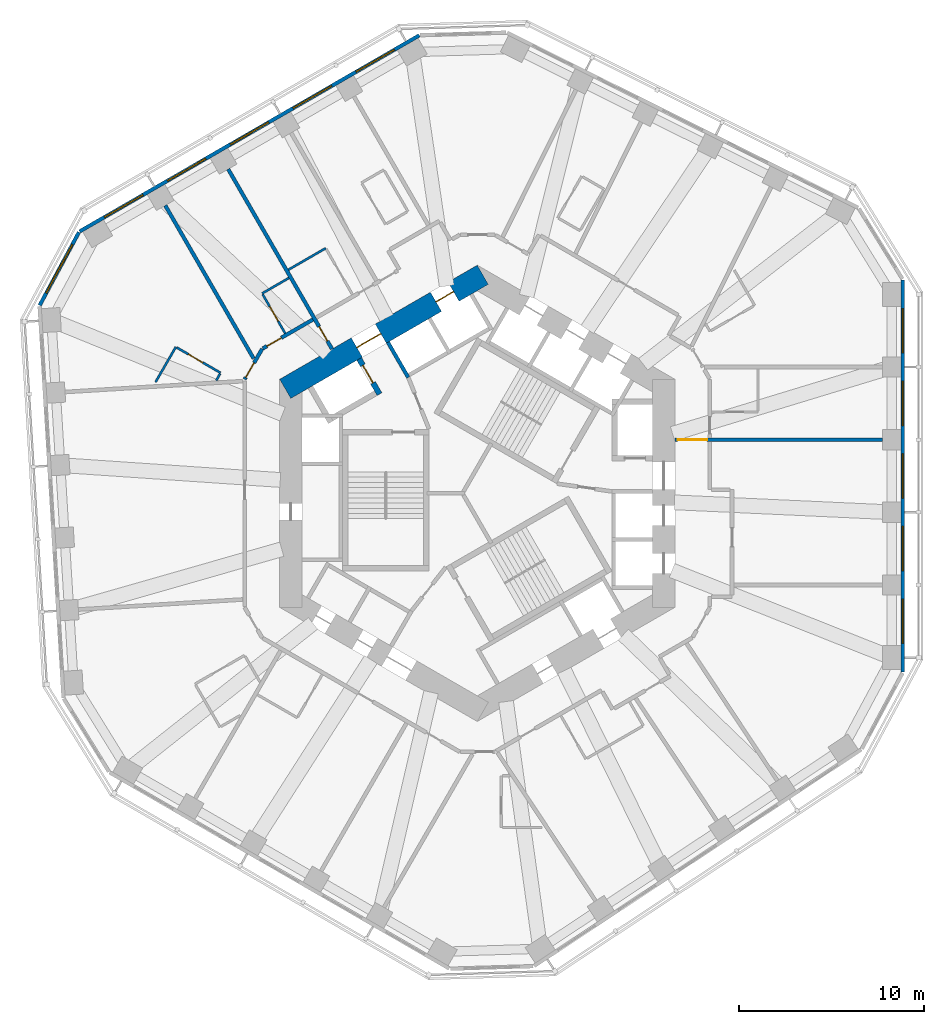
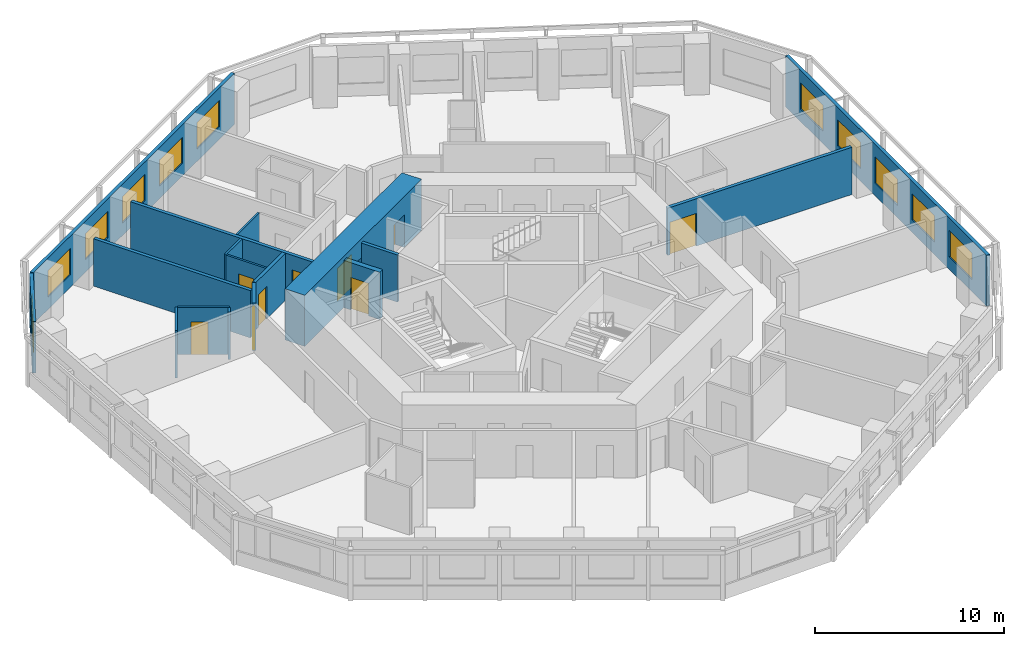
# One storey, part 7 of 12: 17 walls, 11 windows, 9 doors, 20 openings.
"""IFC4 building model written with IfcOpenShell, lengths in metres."""

import ifcopenshell
import ifcopenshell.guid

model = None  # the IFC model being written
_history = None  # IfcOwnerHistory: only IFC2X3 demands one
_inside = {}  # id of a spatial element -> (the spatial element, [elements in it])
_under = {}  # id of a project, library or spatial element -> (it, [spatial elements below it])
_declared = {}  # id of a project -> (the project, [libraries it declares])
_typed = {}  # id of a type object -> (the type object, [elements of that type])
_made_of = {}  # id of a material, layer set ... -> (it, [elements and type objects made of it])


def new_model(schema):
    """Start an empty IFC model of exactly this schema.

    Asked for "IFC4X3", IfcOpenShell would pick the latest addendum, in which some entities
    have other attributes; the version numbers below select the first issue.
    IFC2X3 requires an IfcOwnerHistory on every rooted entity: one is made here for all.
    """
    global model, _history
    if schema == "IFC4X3":
        model = ifcopenshell.file(schema_version=(4, 3, 0, 0))
    else:
        model = ifcopenshell.file(schema=schema)
    _inside.clear()
    _under.clear()
    _declared.clear()
    _typed.clear()
    _made_of.clear()
    _history = None
    if model.schema == "IFC2X3":
        org = make("IfcOrganization", Name="unknown")
        user = make(
            "IfcPersonAndOrganization",
            ThePerson=make("IfcPerson", FamilyName="unknown"),
            TheOrganization=org,
        )
        app = make(
            "IfcApplication",
            ApplicationDeveloper=org,
            Version="unknown",
            ApplicationFullName="unknown",
            ApplicationIdentifier="unknown",
        )
        _history = make(
            "IfcOwnerHistory",
            OwningUser=user,
            OwningApplication=app,
            ChangeAction="ADDED",
            CreationDate=0,
        )
    return model


def make(cls, **values):
    """One entity of the class cls with the attributes given. An attribute that is None is left unset."""
    return model.create_entity(
        cls, **{name: value for name, value in values.items() if value is not None}
    )


def rooted(cls, **values):
    """An entity with a GlobalId (a new one), such as an element, a storey or a relation."""
    return make(cls, GlobalId=ifcopenshell.guid.new(), OwnerHistory=_history, **values)


def si_unit(unit_type, name, prefix=None):
    """IfcSIUnit, for example si_unit("LENGTHUNIT", "METRE", prefix="MILLI")."""
    return make("IfcSIUnit", UnitType=unit_type, Prefix=prefix, Name=name)


def assignment(units):
    """IfcUnitAssignment: the units of a project."""
    return None if units is None else make("IfcUnitAssignment", Units=units)


def point(xyz):
    """IfcCartesianPoint."""
    return None if xyz is None else make("IfcCartesianPoint", Coordinates=xyz)


def direction(xyz):
    """IfcDirection."""
    return None if xyz is None else make("IfcDirection", DirectionRatios=xyz)


def frame(location, z_axis=None, x_axis=None):
    """IfcAxis2Placement3D, a coordinate frame: its origin and axes. An axis left out is left unset."""
    return make(
        "IfcAxis2Placement3D",
        Location=point(location),
        Axis=direction(z_axis),
        RefDirection=direction(x_axis),
    )


def frame_2d(location, x_axis=None):
    """IfcAxis2Placement2D, a coordinate frame in the plane: its origin and x axis."""
    return make(
        "IfcAxis2Placement2D", Location=point(location), RefDirection=direction(x_axis)
    )


def origin():
    """The frame at (0, 0, 0) with its axes left unset."""
    return frame((0.0, 0.0, 0.0))


def place(relative_to, where):
    """IfcLocalPlacement: puts the frame where relative to a parent placement (None: the world)."""
    return make(
        "IfcLocalPlacement", PlacementRelTo=relative_to, RelativePlacement=where
    )


def context(
    kind, dimensions, precision=None, world=None, true_north=None, identifier=None
):
    """IfcGeometricRepresentationContext, for example the 3D "Model" context."""
    return make(
        "IfcGeometricRepresentationContext",
        ContextIdentifier=identifier,
        ContextType=kind,
        CoordinateSpaceDimension=dimensions,
        Precision=precision,
        WorldCoordinateSystem=world,
        TrueNorth=true_north,
    )


def subcontext(parent, identifier, kind, view, scale=None):
    """IfcGeometricRepresentationSubContext, for example "Body" below "Model"."""
    return make(
        "IfcGeometricRepresentationSubContext",
        ContextIdentifier=identifier,
        ContextType=kind,
        ParentContext=parent,
        TargetScale=scale,
        TargetView=view,
    )


def project(units=None, contexts=None):
    """IfcProject with its units and contexts."""
    return rooted(
        "IfcProject",
        Name="project",
        RepresentationContexts=contexts,
        UnitsInContext=assignment(units),
    )


def spatial(cls, under=None, at=None, **own):
    """A site, building, storey or space (cls), placed at a placement, below another one or the project."""
    s = rooted(cls, ObjectPlacement=at, **own)
    if under is not None:
        _under.setdefault(under.id(), (under, []))[1].append(s)
    return s


def profile(cls, at=None, kind="AREA", **sizes):
    """A parametric profile (cls). Its sizes go by their IFC names, for example OverallWidth=200.0."""
    return make(cls, ProfileType=kind, Position=at, **sizes)


def rectangle(**sizes):
    """IfcRectangleProfileDef."""
    return profile("IfcRectangleProfileDef", **sizes)


def extrude(swept, where, along, depth):
    """IfcExtrudedAreaSolid: the profile swept, set in the frame where, extruded along a direction by depth."""
    return make(
        "IfcExtrudedAreaSolid",
        SweptArea=swept,
        Position=where,
        ExtrudedDirection=direction(along),
        Depth=depth,
    )


def shape(context_of_items, identifier, shape_type, items):
    """IfcShapeRepresentation: the items that make up one representation, for example the "Body"."""
    return make(
        "IfcShapeRepresentation",
        ContextOfItems=context_of_items,
        RepresentationIdentifier=identifier,
        RepresentationType=shape_type,
        Items=items,
    )


def material(Name=None, Category=None):
    """IfcMaterial."""
    return make("IfcMaterial", Name=Name, Category=Category)


def layer(
    of_material, thickness, ventilated=None, Name=None, Category=None, Priority=None
):
    """IfcMaterialLayer: one layer of a wall or slab, of a material (None: an air gap)."""
    return make(
        "IfcMaterialLayer",
        Material=of_material,
        LayerThickness=thickness,
        IsVentilated=ventilated,
        Name=Name,
        Category=Category,
        Priority=Priority,
    )


def layer_set(layers, Name=None):
    """IfcMaterialLayerSet."""
    return make("IfcMaterialLayerSet", MaterialLayers=layers, LayerSetName=Name)


def made_of(thing, what):
    """Note that an element or type object is made of a material, layer set ...; save() writes the relation."""
    if what is not None:
        _made_of.setdefault(what.id(), (what, []))[1].append(thing)
    return thing


def type_object(cls, material=None, **own):
    """A type object (cls), such as IfcWallType, which elements share."""
    return made_of(rooted(cls, **own), material)


def element(
    cls,
    number,
    at=None,
    inside=None,
    cuts=None,
    type_object=None,
    material=None,
    context=None,
    identifier="Body",
    shape_type=None,
    held_by="IfcProductDefinitionShape",
    body=None,
    shapes=None,
    **own,
):
    """One element of the class cls, such as IfcWall. Its Tag is "e" and its number.

    at: its placement. inside: the storey or other place that contains it. cuts: it is an
    opening in that element (IfcRelVoidsElement). A single representation is given by context,
    identifier, shape_type and body (its items); several are given by shapes. held_by: the class
    of the entity that holds the representations. save() writes the other relations.
    """
    e = rooted(cls, Tag="e%d" % number, ObjectPlacement=at, **own)
    if body is not None:
        shapes = [shape(context, identifier, shape_type, body)]
    if shapes is not None:
        e.Representation = make(held_by, Representations=shapes)
    if inside is not None:
        _inside.setdefault(inside.id(), (inside, []))[1].append(e)
    if cuts is not None:
        rooted(
            "IfcRelVoidsElement", RelatingBuildingElement=cuts, RelatedOpeningElement=e
        )
    if type_object is not None:
        _typed.setdefault(type_object.id(), (type_object, []))[1].append(e)
    return made_of(e, material)


def fill(opening, filler):
    """IfcRelFillsElement: the door or window that sits in an opening."""
    return rooted(
        "IfcRelFillsElement",
        RelatingOpeningElement=opening,
        RelatedBuildingElement=filler,
    )


def aggregate(whole, parts):
    """IfcRelAggregates: a whole, such as a stair, and the parts it consists of."""
    return rooted("IfcRelAggregates", RelatingObject=whole, RelatedObjects=parts)


def save(model, path):
    """Write the relations noted so far, then the file.

    IfcRelAggregates (storeys below a building ...), IfcRelContainedInSpatialStructure (elements
    in a storey), IfcRelDefinesByType, IfcRelAssociatesMaterial and IfcRelDeclares: one each for
    every whole, place, type object, material and project.
    """
    for whole, parts in _under.values():
        aggregate(whole, parts)
    for where, things in _inside.values():
        rooted(
            "IfcRelContainedInSpatialStructure",
            RelatedElements=things,
            RelatingStructure=where,
        )
    for kind, things in _typed.values():
        rooted("IfcRelDefinesByType", RelatedObjects=things, RelatingType=kind)
    for what, things in _made_of.values():
        rooted("IfcRelAssociatesMaterial", RelatedObjects=things, RelatingMaterial=what)
    for by, libraries in _declared.values():
        rooted("IfcRelDeclares", RelatingContext=by, RelatedDefinitions=libraries)
    model.write(path)


model = new_model("IFC4")

# Units and contexts
model_context = context("Model", 3, precision=1e-05, world=origin(), true_north=direction((0.0, 1.0)))
body_context = subcontext(model_context, "Body", "Model", "MODEL_VIEW")
ifc_project = project(units=[si_unit("LENGTHUNIT", "METRE"), si_unit("AREAUNIT", "SQUARE_METRE"), si_unit("VOLUMEUNIT", "CUBIC_METRE"), si_unit("PLANEANGLEUNIT", "RADIAN"), si_unit("MASSUNIT", "GRAM", prefix="KILO")], contexts=[model_context])

# Site, building, storey
site_placement = place(None, origin())
site = spatial("IfcSite", under=ifc_project, at=site_placement, CompositionType="ELEMENT")
building_placement = place(site_placement, origin())
building = spatial("IfcBuilding", under=site, at=building_placement, Name="Vanh Sen Convention Tower", CompositionType="ELEMENT")
storey_placement = place(building_placement, frame((0.0, 0.0, 106.699951171875)))
storey = spatial("IfcBuildingStorey", under=building, at=storey_placement, Name="L25", CompositionType="ELEMENT", Elevation=106.699951171875)

# Wall
ifc_material_1 = material(Name="Moisture-resistant gypsum board on steel studs", Category="steel")
ifc_layer_1 = layer(ifc_material_1, 0.1201171875)
ifc_layer_set_1 = layer_set([ifc_layer_1], Name="Moisture-resistant gypsum board on steel studs")
wall_type_1 = type_object("IfcWallType", Name="Bathroom partition 120", PredefinedType="PARTITIONING", material=ifc_layer_set_1)
wall_1_placement = place(storey_placement, frame((-17.42578125, 6.019287109375, 0.0), z_axis=(0.0, 0.0, 1.0), x_axis=(0.50002983664, 0.866008176907, 0.0)))
element("IfcWall", 1, at=wall_1_placement, inside=storey, type_object=wall_type_1, Name="Bathroom partition 120", PredefinedType="PARTITIONING", context=body_context, shape_type="SweptSolid", body=[
    extrude(rectangle(XDim=2.199951171875, YDim=0.1201171875, at=frame_2d((1.10009765625, 0.0))), origin(), (0.0, 0.0, 1.0), 3.050048828125),
])

# Wall, opening, door
wall_2_placement = place(storey_placement, frame((-16.273681640625, 7.89453125, 0.0), z_axis=(0.0, 0.0, 1.0), x_axis=(0.865997131366, -0.500048966069, 0.0)))
wall_2 = element("IfcWall", 2, at=wall_2_placement, inside=storey, type_object=wall_type_1, Name="Bathroom partition 120", PredefinedType="PARTITIONING", context=body_context, shape_type="SweptSolid", body=[
    extrude(rectangle(XDim=2.739990234375, YDim=0.1201171875, at=frame_2d((1.3701171875, 0.0))), origin(), (0.0, 0.0, 1.0), 3.050048828125),
])
opening_1_placement = place(wall_2_placement, frame((0.719970703125, 0.0, 0.0)))
opening_1 = element("IfcOpeningElement", 3, at=opening_1_placement, cuts=wall_2, Name="Opening D25117", PredefinedType="OPENING", context=body_context, shape_type="SweptSolid", body=[
    extrude(rectangle(XDim=0.89990234375, YDim=2.10009765625, at=frame_2d((0.449951171875, 1.050048828125))), frame((0.0, 0.070068359375, 0.0), z_axis=(0.0, -1.0, 0.0), x_axis=(1.0, 0.0, 0.0)), (0.0, 0.0, 1.0), 0.14013671875),
])
ifc_material_2 = material(Name="Laminate door in steel frame", Category="steel")
door_type_1 = type_object("IfcDoorType", Name="En-suite door 900", OperationType="SINGLE_SWING_LEFT", PredefinedType="DOOR", material=ifc_material_2)
door_1_placement = place(opening_1_placement, origin())
door_1 = element("IfcDoor", 4, at=door_1_placement, inside=storey, type_object=door_type_1, Name="En-suite door D25117", OperationType="SINGLE_SWING_LEFT", OverallHeight=2.10009765625, OverallWidth=0.89990234375, PredefinedType="DOOR", context=body_context, shape_type="SweptSolid", body=[
    extrude(rectangle(XDim=0.89990234375, YDim=2.10009765625, at=frame_2d((0.449951171875, 1.050048828125))), frame((0.0, 0.02490234375, 0.0), z_axis=(0.0, -1.0, 0.0), x_axis=(1.0, 0.0, 0.0)), (0.0, 0.0, 1.0), 0.050048828125),
])
fill(opening_1, door_1)

# Walls
wall_3_placement = place(storey_placement, frame((-13.930908203125, 6.472412109375, 0.0), z_axis=(0.0, 0.0, 1.0), x_axis=(-0.499739399214, -0.866175809448, 0.0)))
element("IfcWall", 5, at=wall_3_placement, inside=storey, type_object=wall_type_1, Name="Bathroom partition 120", PredefinedType="PARTITIONING", context=body_context, shape_type="SweptSolid", body=[
    extrude(rectangle(XDim=0.415771484375, YDim=0.1201171875, at=frame_2d((0.2080078125, 0.0))), origin(), (0.0, 0.0, 1.0), 3.050048828125),
])
wall_4_placement = place(storey_placement, frame((-11.65087890625, 10.82470703125, 0.0), z_axis=(0.0, 0.0, 1.0), x_axis=(0.865998477143, 0.500046635412, 0.0)))
element("IfcWall", 6, at=wall_4_placement, inside=storey, type_object=wall_type_1, Name="Bathroom partition 120", PredefinedType="PARTITIONING", context=body_context, shape_type="SweptSolid", body=[
    extrude(rectangle(XDim=1.673095703125, YDim=0.1201171875, at=frame_2d((0.83642578125, 0.0))), origin(), (0.0, 0.0, 1.0), 3.050048828125),
])

# Wall, opening, door
wall_5_placement = place(storey_placement, frame((-10.40087890625, 8.65966796875, 0.0), z_axis=(0.0, 0.0, 1.0), x_axis=(-0.500077547548, 0.865980627057, 0.0)))
wall_5 = element("IfcWall", 7, at=wall_5_placement, inside=storey, type_object=wall_type_1, Name="Bathroom partition 120", PredefinedType="PARTITIONING", context=body_context, shape_type="SweptSolid", body=[
    extrude(rectangle(XDim=2.43994140625, YDim=0.1201171875, at=frame_2d((1.219970703125, 0.0))), origin(), (0.0, 0.0, 1.0), 3.050048828125),
])
opening_2_placement = place(wall_5_placement, frame((0.77001953125, 0.0, 0.0)))
opening_2 = element("IfcOpeningElement", 8, at=opening_2_placement, cuts=wall_5, Name="Opening D25115", PredefinedType="OPENING", context=body_context, shape_type="SweptSolid", body=[
    extrude(rectangle(XDim=0.89990234375, YDim=2.10009765625, at=frame_2d((0.449951171875, 1.050048828125))), frame((0.0, 0.070068359375, 0.0), z_axis=(0.0, -1.0, 0.0), x_axis=(1.0, 0.0, 0.0)), (0.0, 0.0, 1.0), 0.14013671875),
])
door_2_placement = place(opening_2_placement, origin())
door_2 = element("IfcDoor", 9, at=door_2_placement, inside=storey, type_object=door_type_1, Name="En-suite door D25115", OperationType="SINGLE_SWING_LEFT", OverallHeight=2.10009765625, OverallWidth=0.89990234375, PredefinedType="DOOR", context=body_context, shape_type="SweptSolid", body=[
    extrude(rectangle(XDim=0.89990234375, YDim=2.10009765625, at=frame_2d((0.449951171875, 1.050048828125))), frame((0.0, 0.02490234375, 0.0), z_axis=(0.0, -1.0, 0.0), x_axis=(1.0, 0.0, 0.0)), (0.0, 0.0, 1.0), 0.050048828125),
])
fill(opening_2, door_2)

# Wall
wall_6_placement = place(storey_placement, frame((-10.228759765625, 12.107666015625, 0.0), z_axis=(0.0, 0.0, 1.0), x_axis=(0.866053246676, 0.499951771596, 0.0)))
element("IfcWall", 10, at=wall_6_placement, inside=storey, type_object=wall_type_1, Name="Bathroom partition 120", PredefinedType="PARTITIONING", context=body_context, shape_type="SweptSolid", body=[
    extrude(rectangle(XDim=2.334716796875, YDim=0.1201171875, at=frame_2d((1.16748046875, 0.0))), origin(), (0.0, 0.0, 1.0), 3.050048828125),
])

# Wall, openings, doors
ifc_material_3 = material(Name="Concrete C80/95", Category="concrete")
ifc_layer_2 = layer(ifc_material_3, 1.199951171875)
ifc_layer_set_2 = layer_set([ifc_layer_2], Name="Concrete C80/95")
wall_type_2 = type_object("IfcWallType", Name="Core outer wall 1200 C80/95", PredefinedType="SHEAR", material=ifc_layer_set_2)
wall_7_placement = place(storey_placement, frame((0.300048828125, 11.835693359375, 0.0), z_axis=(0.0, 0.0, 1.0), x_axis=(-0.866021384402, -0.500006961711, 0.0)))
wall_7 = element("IfcWall", 11, at=wall_7_placement, inside=storey, type_object=wall_type_2, Name="Core wall face NW L25", PredefinedType="SHEAR", context=body_context, shape_type="SweptSolid", body=[
    extrude(rectangle(XDim=12.355224609375, YDim=1.199951171875, at=frame_2d((6.177734375, 0.0))), origin(), (0.0, 0.0, 1.0), 3.300048828125),
])
opening_3_placement = place(wall_7_placement, frame((6.377685546875, 0.0, 0.0)))
opening_3 = element("IfcOpeningElement", 12, at=opening_3_placement, cuts=wall_7, Name="Opening D25002", PredefinedType="OPENING", context=body_context, shape_type="SweptSolid", body=[
    extrude(rectangle(XDim=1.5, YDim=2.10009765625, at=frame_2d((0.75, 1.050048828125))), frame((0.0, 0.60986328125, 0.0), z_axis=(0.0, -1.0, 0.0), x_axis=(1.0, 0.0, 0.0)), (0.0, 0.0, 1.0), 1.219970703125),
])
opening_4_placement = place(wall_7_placement, frame((1.82763671875, 0.0, 0.0)))
opening_4 = element("IfcOpeningElement", 13, at=opening_4_placement, cuts=wall_7, Name="Opening LD-LR6", PredefinedType="OPENING", context=body_context, shape_type="SweptSolid", body=[
    extrude(rectangle(XDim=1.10009765625, YDim=2.10009765625, at=frame_2d((0.550048828125, 1.050048828125))), frame((0.0, 0.60986328125, 0.0), z_axis=(0.0, -1.0, 0.0), x_axis=(1.0, 0.0, 0.0)), (0.0, 0.0, 1.0), 1.219970703125),
])
ifc_material_4 = material(Name="Stainless steel", Category="steel")
door_type_2 = type_object("IfcDoorType", Name="Lift landing door 1100", OperationType="DOUBLE_DOOR_SLIDING", PredefinedType="DOOR", material=ifc_material_4)
door_3_placement = place(opening_4_placement, origin())
door_3 = element("IfcDoor", 14, at=door_3_placement, inside=storey, type_object=door_type_2, Name="Lift LR6 landing door LD-LR6", OperationType="DOUBLE_DOOR_SLIDING", OverallHeight=2.10009765625, OverallWidth=1.10009765625, PredefinedType="DOOR", context=body_context, shape_type="SweptSolid", body=[
    extrude(rectangle(XDim=1.10009765625, YDim=2.10009765625, at=frame_2d((0.550048828125, 1.050048828125))), frame((0.0, 0.02490234375, 0.0), z_axis=(0.0, -1.0, 0.0), x_axis=(1.0, 0.0, 0.0)), (0.0, 0.0, 1.0), 0.050048828125),
])
fill(opening_4, door_3)
ifc_material_5 = material(Name="Steel S355", Category="steel")
door_type_3 = type_object("IfcDoorType", Name="Stair lobby door 1500", OperationType="DOUBLE_DOOR_SINGLE_SWING", PredefinedType="DOOR", material=ifc_material_5)
door_4_placement = place(opening_3_placement, origin())
door_4 = element("IfcDoor", 15, at=door_4_placement, inside=storey, type_object=door_type_3, Name="Stair lobby door D25002", OperationType="DOUBLE_DOOR_SINGLE_SWING", OverallHeight=2.10009765625, OverallWidth=1.5, PredefinedType="DOOR", context=body_context, shape_type="SweptSolid", body=[
    extrude(rectangle(XDim=1.5, YDim=2.10009765625, at=frame_2d((0.75, 1.050048828125))), frame((0.0, 0.02490234375, 0.0), z_axis=(0.0, -1.0, 0.0), x_axis=(1.0, 0.0, 0.0)), (0.0, 0.0, 1.0), 0.050048828125),
])
fill(opening_3, door_4)

# Wall, opening, door
ifc_material_6 = material(Name="Gypsum board on steel studs with mineral wool", Category="steel")
ifc_layer_3 = layer(ifc_material_6, 0.199951171875)
ifc_layer_set_3 = layer_set([ifc_layer_3], Name="Gypsum board on steel studs with mineral wool")
wall_type_3 = type_object("IfcWallType", Name="Corridor partition wall 200", PredefinedType="PARTITIONING", material=ifc_layer_set_3)
wall_8_placement = place(storey_placement, frame((-11.64990234375, 7.822998046875, 0.0), z_axis=(0.0, 0.0, 1.0), x_axis=(-0.500063520245, -0.865988727248, 0.0)))
wall_8 = element("IfcWall", 16, at=wall_8_placement, inside=storey, type_object=wall_type_3, Name="Corridor partition wall 200", PredefinedType="PARTITIONING", context=body_context, shape_type="SweptSolid", body=[
    extrude(rectangle(XDim=1.900146484375, YDim=0.199951171875, at=frame_2d((0.9501953125, 0.0))), origin(), (0.0, 0.0, 1.0), 3.050048828125),
])
opening_5_placement = place(wall_8_placement, frame((0.8818359375, 0.0, 0.0)))
opening_5 = element("IfcOpeningElement", 17, at=opening_5_placement, cuts=wall_8, Name="Opening D25116", PredefinedType="OPENING", context=body_context, shape_type="SweptSolid", body=[
    extrude(rectangle(XDim=0.89990234375, YDim=2.10009765625, at=frame_2d((0.449951171875, 1.050048828125))), frame((0.0, 0.10986328125, 0.0), z_axis=(0.0, -1.0, 0.0), x_axis=(1.0, 0.0, 0.0)), (0.0, 0.0, 1.0), 0.219970703125),
])
ifc_material_7 = material(Name="Timber fire door in steel frame", Category="steel")
door_type_4 = type_object("IfcDoorType", Name="Guest room door 900", OperationType="SINGLE_SWING_LEFT", PredefinedType="DOOR", material=ifc_material_7)
door_5_placement = place(opening_5_placement, origin())
door_5 = element("IfcDoor", 18, at=door_5_placement, inside=storey, type_object=door_type_4, Name="Hotel guest room door D25116", OperationType="SINGLE_SWING_LEFT", OverallHeight=2.10009765625, OverallWidth=0.89990234375, PredefinedType="DOOR", context=body_context, shape_type="SweptSolid", body=[
    extrude(rectangle(XDim=0.89990234375, YDim=2.10009765625, at=frame_2d((0.449951171875, 1.050048828125))), frame((0.0, 0.02490234375, 0.0), z_axis=(0.0, -1.0, 0.0), x_axis=(1.0, 0.0, 0.0)), (0.0, 0.0, 1.0), 0.050048828125),
])
fill(opening_5, door_5)

wall_9_placement = place(storey_placement, frame((-8.902099609375, 9.40966796875, 0.0), z_axis=(0.0, 0.0, 1.0), x_axis=(-0.866014299198, -0.500019233215, 0.0)))
wall_9 = element("IfcWall", 19, at=wall_9_placement, inside=storey, type_object=wall_type_3, Name="Corridor partition wall 200", PredefinedType="PARTITIONING", context=body_context, shape_type="SweptSolid", body=[
    extrude(rectangle(XDim=3.13330078125, YDim=0.199951171875, at=frame_2d((1.566650390625, 0.0))), origin(), (0.0, 0.0, 1.0), 3.050048828125),
])
opening_6_placement = place(wall_9_placement, frame((1.97802734375, 0.0, 0.0)))
opening_6 = element("IfcOpeningElement", 20, at=opening_6_placement, cuts=wall_9, Name="Opening D25114", PredefinedType="OPENING", context=body_context, shape_type="SweptSolid", body=[
    extrude(rectangle(XDim=0.89990234375, YDim=2.10009765625, at=frame_2d((0.449951171875, 1.050048828125))), frame((0.0, 0.10986328125, 0.0), z_axis=(0.0, -1.0, 0.0), x_axis=(1.0, 0.0, 0.0)), (0.0, 0.0, 1.0), 0.219970703125),
])
door_6_placement = place(opening_6_placement, origin())
door_6 = element("IfcDoor", 21, at=door_6_placement, inside=storey, type_object=door_type_4, Name="Hotel guest room door D25114", OperationType="SINGLE_SWING_LEFT", OverallHeight=2.10009765625, OverallWidth=0.89990234375, PredefinedType="DOOR", context=body_context, shape_type="SweptSolid", body=[
    extrude(rectangle(XDim=0.89990234375, YDim=2.10009765625, at=frame_2d((0.449951171875, 1.050048828125))), frame((0.0, 0.02490234375, 0.0), z_axis=(0.0, -1.0, 0.0), x_axis=(1.0, 0.0, 0.0)), (0.0, 0.0, 1.0), 0.050048828125),
])
fill(opening_6, door_6)

# Wall, openings, windows
ifc_material_8 = material(Name="Insulated lightweight infill wall")
ifc_layer_4 = layer(ifc_material_8, 0.199951171875)
ifc_layer_set_4 = layer_set([ifc_layer_4], Name="Insulated lightweight infill wall")
wall_type_4 = type_object("IfcWallType", Name="External wall 200", PredefinedType="STANDARD", material=ifc_layer_set_4)
wall_10_placement = place(storey_placement, frame((23.050048828125, -9.6865234375, 0.0), z_axis=(0.0, 0.0, 1.0), x_axis=(0.0, 1.0, 0.0)))
wall_10 = element("IfcWall", 22, at=wall_10_placement, inside=storey, type_object=wall_type_4, Name="External wall E L25", PredefinedType="STANDARD", context=body_context, shape_type="SweptSolid", body=[
    extrude(rectangle(XDim=21.24609375, YDim=0.199951171875, at=frame_2d((10.623046875, 0.0))), origin(), (0.0, 0.0, 1.0), 3.300048828125),
])
opening_7_placement = place(wall_10_placement, frame((1.5546875, 0.0, 0.800048828125)))
opening_7 = element("IfcOpeningElement", 23, at=opening_7_placement, cuts=wall_10, Name="Opening WH1-E1", PredefinedType="OPENING", context=body_context, shape_type="SweptSolid", body=[
    extrude(rectangle(XDim=2.39990234375, YDim=1.699951171875, at=frame_2d((1.199951171875, 0.85009765625))), frame((0.0, 0.10986328125, 0.0), z_axis=(0.0, -1.0, 0.0), x_axis=(1.0, 0.0, 0.0)), (0.0, 0.0, 1.0), 0.219970703125),
])
opening_8_placement = place(wall_10_placement, frame((5.4892578125, 0.0, 0.800048828125)))
opening_8 = element("IfcOpeningElement", 24, at=opening_8_placement, cuts=wall_10, Name="Opening WH1-E2", PredefinedType="OPENING", context=body_context, shape_type="SweptSolid", body=[
    extrude(rectangle(XDim=2.39990234375, YDim=1.699951171875, at=frame_2d((1.199951171875, 0.85009765625))), frame((0.0, 0.10986328125, 0.0), z_axis=(0.0, -1.0, 0.0), x_axis=(1.0, 0.0, 0.0)), (0.0, 0.0, 1.0), 0.219970703125),
])
opening_9_placement = place(wall_10_placement, frame((9.423828125, 0.0, 0.800048828125)))
opening_9 = element("IfcOpeningElement", 25, at=opening_9_placement, cuts=wall_10, Name="Opening WH1-E3", PredefinedType="OPENING", context=body_context, shape_type="SweptSolid", body=[
    extrude(rectangle(XDim=2.39990234375, YDim=1.699951171875, at=frame_2d((1.199951171875, 0.85009765625))), frame((0.0, 0.10986328125, 0.0), z_axis=(0.0, -1.0, 0.0), x_axis=(1.0, 0.0, 0.0)), (0.0, 0.0, 1.0), 0.219970703125),
])
opening_10_placement = place(wall_10_placement, frame((13.3583984375, 0.0, 0.800048828125)))
opening_10 = element("IfcOpeningElement", 26, at=opening_10_placement, cuts=wall_10, Name="Opening WH1-E4", PredefinedType="OPENING", context=body_context, shape_type="SweptSolid", body=[
    extrude(rectangle(XDim=2.39990234375, YDim=1.699951171875, at=frame_2d((1.199951171875, 0.85009765625))), frame((0.0, 0.10986328125, 0.0), z_axis=(0.0, -1.0, 0.0), x_axis=(1.0, 0.0, 0.0)), (0.0, 0.0, 1.0), 0.219970703125),
])
opening_11_placement = place(wall_10_placement, frame((17.29296875, 0.0, 0.800048828125)))
opening_11 = element("IfcOpeningElement", 27, at=opening_11_placement, cuts=wall_10, Name="Opening WH1-E5", PredefinedType="OPENING", context=body_context, shape_type="SweptSolid", body=[
    extrude(rectangle(XDim=2.39990234375, YDim=1.699951171875, at=frame_2d((1.199951171875, 0.85009765625))), frame((0.0, 0.10986328125, 0.0), z_axis=(0.0, -1.0, 0.0), x_axis=(1.0, 0.0, 0.0)), (0.0, 0.0, 1.0), 0.219970703125),
])
ifc_material_9 = material(Name="Aluminium frame with clear low-emissivity glass", Category="aluminium")
window_type_1 = type_object("IfcWindowType", Name="Hotel window 2400 x 1700", PartitioningType="SINGLE_PANEL", PredefinedType="WINDOW", material=ifc_material_9)
window_1_placement = place(opening_7_placement, origin())
window_1 = element("IfcWindow", 28, at=window_1_placement, inside=storey, type_object=window_type_1, Name="Window WH1-E1", OverallHeight=1.699951171875, OverallWidth=2.39990234375, PartitioningType="SINGLE_PANEL", PredefinedType="WINDOW", context=body_context, shape_type="SweptSolid", body=[
    extrude(rectangle(XDim=2.39990234375, YDim=1.699951171875, at=frame_2d((1.199951171875, 0.85009765625))), frame((0.0, 0.030029296875, 0.0), z_axis=(0.0, -1.0, 0.0), x_axis=(1.0, 0.0, 0.0)), (0.0, 0.0, 1.0), 0.06005859375),
])
fill(opening_7, window_1)
window_2_placement = place(opening_8_placement, origin())
window_2 = element("IfcWindow", 29, at=window_2_placement, inside=storey, type_object=window_type_1, Name="Window WH1-E2", OverallHeight=1.699951171875, OverallWidth=2.39990234375, PartitioningType="SINGLE_PANEL", PredefinedType="WINDOW", context=body_context, shape_type="SweptSolid", body=[
    extrude(rectangle(XDim=2.39990234375, YDim=1.699951171875, at=frame_2d((1.199951171875, 0.85009765625))), frame((0.0, 0.030029296875, 0.0), z_axis=(0.0, -1.0, 0.0), x_axis=(1.0, 0.0, 0.0)), (0.0, 0.0, 1.0), 0.06005859375),
])
fill(opening_8, window_2)
window_3_placement = place(opening_9_placement, origin())
window_3 = element("IfcWindow", 30, at=window_3_placement, inside=storey, type_object=window_type_1, Name="Window WH1-E3", OverallHeight=1.699951171875, OverallWidth=2.39990234375, PartitioningType="SINGLE_PANEL", PredefinedType="WINDOW", context=body_context, shape_type="SweptSolid", body=[
    extrude(rectangle(XDim=2.39990234375, YDim=1.699951171875, at=frame_2d((1.199951171875, 0.85009765625))), frame((0.0, 0.030029296875, 0.0), z_axis=(0.0, -1.0, 0.0), x_axis=(1.0, 0.0, 0.0)), (0.0, 0.0, 1.0), 0.06005859375),
])
fill(opening_9, window_3)
window_4_placement = place(opening_10_placement, origin())
window_4 = element("IfcWindow", 31, at=window_4_placement, inside=storey, type_object=window_type_1, Name="Window WH1-E4", OverallHeight=1.699951171875, OverallWidth=2.39990234375, PartitioningType="SINGLE_PANEL", PredefinedType="WINDOW", context=body_context, shape_type="SweptSolid", body=[
    extrude(rectangle(XDim=2.39990234375, YDim=1.699951171875, at=frame_2d((1.199951171875, 0.85009765625))), frame((0.0, 0.030029296875, 0.0), z_axis=(0.0, -1.0, 0.0), x_axis=(1.0, 0.0, 0.0)), (0.0, 0.0, 1.0), 0.06005859375),
])
fill(opening_10, window_4)
window_5_placement = place(opening_11_placement, origin())
window_5 = element("IfcWindow", 32, at=window_5_placement, inside=storey, type_object=window_type_1, Name="Window WH1-E5", OverallHeight=1.699951171875, OverallWidth=2.39990234375, PartitioningType="SINGLE_PANEL", PredefinedType="WINDOW", context=body_context, shape_type="SweptSolid", body=[
    extrude(rectangle(XDim=2.39990234375, YDim=1.699951171875, at=frame_2d((1.199951171875, 0.85009765625))), frame((0.0, 0.030029296875, 0.0), z_axis=(0.0, -1.0, 0.0), x_axis=(1.0, 0.0, 0.0)), (0.0, 0.0, 1.0), 0.06005859375),
])
fill(opening_11, window_5)

wall_11_placement = place(storey_placement, frame((-3.135986328125, 24.80517578125, 0.0), z_axis=(0.0, 0.0, 1.0), x_axis=(-0.866028291626, -0.499994998079, 0.0)))
wall_11 = element("IfcWall", 33, at=wall_11_placement, inside=storey, type_object=wall_type_4, Name="External wall NW L25", PredefinedType="STANDARD", context=body_context, shape_type="SweptSolid", body=[
    extrude(rectangle(XDim=21.246337890625, YDim=0.199951171875, at=frame_2d((10.623046875, 0.0))), origin(), (0.0, 0.0, 1.0), 3.300048828125),
])
opening_12_placement = place(wall_11_placement, frame((1.5546875, 0.0, 0.800048828125)))
opening_12 = element("IfcOpeningElement", 34, at=opening_12_placement, cuts=wall_11, Name="Opening WH1-NW1", PredefinedType="OPENING", context=body_context, shape_type="SweptSolid", body=[
    extrude(rectangle(XDim=2.39990234375, YDim=1.699951171875, at=frame_2d((1.199951171875, 0.85009765625))), frame((0.0, 0.10986328125, 0.0), z_axis=(0.0, -1.0, 0.0), x_axis=(1.0, 0.0, 0.0)), (0.0, 0.0, 1.0), 0.219970703125),
])
opening_13_placement = place(wall_11_placement, frame((5.4892578125, 0.0, 0.800048828125)))
opening_13 = element("IfcOpeningElement", 35, at=opening_13_placement, cuts=wall_11, Name="Opening WH1-NW2", PredefinedType="OPENING", context=body_context, shape_type="SweptSolid", body=[
    extrude(rectangle(XDim=2.39990234375, YDim=1.699951171875, at=frame_2d((1.199951171875, 0.85009765625))), frame((0.0, 0.10986328125, 0.0), z_axis=(0.0, -1.0, 0.0), x_axis=(1.0, 0.0, 0.0)), (0.0, 0.0, 1.0), 0.219970703125),
])
opening_14_placement = place(wall_11_placement, frame((9.423828125, 0.0, 0.800048828125)))
opening_14 = element("IfcOpeningElement", 36, at=opening_14_placement, cuts=wall_11, Name="Opening WH1-NW3", PredefinedType="OPENING", context=body_context, shape_type="SweptSolid", body=[
    extrude(rectangle(XDim=2.39990234375, YDim=1.699951171875, at=frame_2d((1.199951171875, 0.85009765625))), frame((0.0, 0.10986328125, 0.0), z_axis=(0.0, -1.0, 0.0), x_axis=(1.0, 0.0, 0.0)), (0.0, 0.0, 1.0), 0.219970703125),
])
opening_15_placement = place(wall_11_placement, frame((13.3583984375, 0.0, 0.800048828125)))
opening_15 = element("IfcOpeningElement", 37, at=opening_15_placement, cuts=wall_11, Name="Opening WH1-NW4", PredefinedType="OPENING", context=body_context, shape_type="SweptSolid", body=[
    extrude(rectangle(XDim=2.39990234375, YDim=1.699951171875, at=frame_2d((1.199951171875, 0.85009765625))), frame((0.0, 0.10986328125, 0.0), z_axis=(0.0, -1.0, 0.0), x_axis=(1.0, 0.0, 0.0)), (0.0, 0.0, 1.0), 0.219970703125),
])
opening_16_placement = place(wall_11_placement, frame((17.293212890625, 0.0, 0.800048828125)))
opening_16 = element("IfcOpeningElement", 38, at=opening_16_placement, cuts=wall_11, Name="Opening WH1-NW5", PredefinedType="OPENING", context=body_context, shape_type="SweptSolid", body=[
    extrude(rectangle(XDim=2.39990234375, YDim=1.699951171875, at=frame_2d((1.199951171875, 0.85009765625))), frame((0.0, 0.10986328125, 0.0), z_axis=(0.0, -1.0, 0.0), x_axis=(1.0, 0.0, 0.0)), (0.0, 0.0, 1.0), 0.219970703125),
])
window_6_placement = place(opening_12_placement, origin())
window_6 = element("IfcWindow", 39, at=window_6_placement, inside=storey, type_object=window_type_1, Name="Window WH1-NW1", OverallHeight=1.699951171875, OverallWidth=2.39990234375, PartitioningType="SINGLE_PANEL", PredefinedType="WINDOW", context=body_context, shape_type="SweptSolid", body=[
    extrude(rectangle(XDim=2.39990234375, YDim=1.699951171875, at=frame_2d((1.199951171875, 0.85009765625))), frame((0.0, 0.030029296875, 0.0), z_axis=(0.0, -1.0, 0.0), x_axis=(1.0, 0.0, 0.0)), (0.0, 0.0, 1.0), 0.06005859375),
])
fill(opening_12, window_6)
window_7_placement = place(opening_13_placement, origin())
window_7 = element("IfcWindow", 40, at=window_7_placement, inside=storey, type_object=window_type_1, Name="Window WH1-NW2", OverallHeight=1.699951171875, OverallWidth=2.39990234375, PartitioningType="SINGLE_PANEL", PredefinedType="WINDOW", context=body_context, shape_type="SweptSolid", body=[
    extrude(rectangle(XDim=2.39990234375, YDim=1.699951171875, at=frame_2d((1.199951171875, 0.85009765625))), frame((0.0, 0.030029296875, 0.0), z_axis=(0.0, -1.0, 0.0), x_axis=(1.0, 0.0, 0.0)), (0.0, 0.0, 1.0), 0.06005859375),
])
fill(opening_13, window_7)
window_8_placement = place(opening_14_placement, origin())
window_8 = element("IfcWindow", 41, at=window_8_placement, inside=storey, type_object=window_type_1, Name="Window WH1-NW3", OverallHeight=1.699951171875, OverallWidth=2.39990234375, PartitioningType="SINGLE_PANEL", PredefinedType="WINDOW", context=body_context, shape_type="SweptSolid", body=[
    extrude(rectangle(XDim=2.39990234375, YDim=1.699951171875, at=frame_2d((1.199951171875, 0.85009765625))), frame((0.0, 0.030029296875, 0.0), z_axis=(0.0, -1.0, 0.0), x_axis=(1.0, 0.0, 0.0)), (0.0, 0.0, 1.0), 0.06005859375),
])
fill(opening_14, window_8)
window_9_placement = place(opening_15_placement, origin())
window_9 = element("IfcWindow", 42, at=window_9_placement, inside=storey, type_object=window_type_1, Name="Window WH1-NW4", OverallHeight=1.699951171875, OverallWidth=2.39990234375, PartitioningType="SINGLE_PANEL", PredefinedType="WINDOW", context=body_context, shape_type="SweptSolid", body=[
    extrude(rectangle(XDim=2.39990234375, YDim=1.699951171875, at=frame_2d((1.199951171875, 0.85009765625))), frame((0.0, 0.030029296875, 0.0), z_axis=(0.0, -1.0, 0.0), x_axis=(1.0, 0.0, 0.0)), (0.0, 0.0, 1.0), 0.06005859375),
])
fill(opening_15, window_9)
window_10_placement = place(opening_16_placement, origin())
window_10 = element("IfcWindow", 43, at=window_10_placement, inside=storey, type_object=window_type_1, Name="Window WH1-NW5", OverallHeight=1.699951171875, OverallWidth=2.39990234375, PartitioningType="SINGLE_PANEL", PredefinedType="WINDOW", context=body_context, shape_type="SweptSolid", body=[
    extrude(rectangle(XDim=2.39990234375, YDim=1.699951171875, at=frame_2d((1.199951171875, 0.85009765625))), frame((0.0, 0.030029296875, 0.0), z_axis=(0.0, -1.0, 0.0), x_axis=(1.0, 0.0, 0.0)), (0.0, 0.0, 1.0), 0.06005859375),
])
fill(opening_16, window_10)

# Wall, opening, window
wall_12_placement = place(storey_placement, frame((-21.573974609375, 14.142822265625, 0.0), z_axis=(0.0, 0.0, 1.0), x_axis=(-0.473292949472, -0.880905093628, 0.0)))
wall_12 = element("IfcWall", 44, at=wall_12_placement, inside=storey, type_object=wall_type_4, Name="External wall CH3 L25", PredefinedType="STANDARD", context=body_context, shape_type="SweptSolid", body=[
    extrude(rectangle(XDim=4.493896484375, YDim=0.199951171875, at=frame_2d((2.2470703125, 0.0))), origin(), (0.0, 0.0, 1.0), 3.300048828125),
])
opening_17_placement = place(wall_12_placement, frame((0.746826171875, 0.0, 0.800048828125)))
opening_17 = element("IfcOpeningElement", 45, at=opening_17_placement, cuts=wall_12, Name="Opening WH2-CH31", PredefinedType="OPENING", context=body_context, shape_type="SweptSolid", body=[
    extrude(rectangle(XDim=3.0, YDim=1.699951171875, at=frame_2d((1.5, 0.85009765625))), frame((0.0, 0.10986328125, 0.0), z_axis=(0.0, -1.0, 0.0), x_axis=(1.0, 0.0, 0.0)), (0.0, 0.0, 1.0), 0.219970703125),
])
window_type_2 = type_object("IfcWindowType", Name="Hotel window 3000 x 1700", PartitioningType="SINGLE_PANEL", PredefinedType="WINDOW", material=ifc_material_9)
window_11_placement = place(opening_17_placement, origin())
window_11 = element("IfcWindow", 46, at=window_11_placement, inside=storey, type_object=window_type_2, Name="Window WH2-CH31", OverallHeight=1.699951171875, OverallWidth=3.0, PartitioningType="SINGLE_PANEL", PredefinedType="WINDOW", context=body_context, shape_type="SweptSolid", body=[
    extrude(rectangle(XDim=3.0, YDim=1.699951171875, at=frame_2d((1.5, 0.85009765625))), frame((0.0, 0.030029296875, 0.0), z_axis=(0.0, -1.0, 0.0), x_axis=(1.0, 0.0, 0.0)), (0.0, 0.0, 1.0), 0.06005859375),
])
fill(opening_17, window_11)

# Wall, opening, door
ifc_material_10 = material(Name="Concrete C60/75", Category="concrete")
ifc_layer_5 = layer(ifc_material_10, 0.300048828125)
ifc_layer_set_5 = layer_set([ifc_layer_5], Name="Concrete C60/75")
wall_type_5 = type_object("IfcWallType", Name="Fire-fighting lift shaft wall 300", PredefinedType="SHEAR", material=ifc_layer_set_5)
wall_13_placement = place(storey_placement, frame((-5.29541015625, 5.3720703125, 0.0), z_axis=(0.0, 0.0, 1.0), x_axis=(-0.500077893725, 0.86598042715, 0.0)))
wall_13 = element("IfcWall", 47, at=wall_13_placement, inside=storey, type_object=wall_type_5, Name="Fire-fighting lift shaft wall L25", PredefinedType="SHEAR", context=body_context, shape_type="SweptSolid", body=[
    extrude(rectangle(XDim=2.199951171875, YDim=0.300048828125, at=frame_2d((1.10009765625, 0.0))), origin(), (0.0, 0.0, 1.0), 3.050048828125),
])
opening_18_placement = place(wall_13_placement, frame((0.699951171875, 0.0, 0.0)))
opening_18 = element("IfcOpeningElement", 48, at=opening_18_placement, cuts=wall_13, Name="Opening LD-FF2", PredefinedType="OPENING", context=body_context, shape_type="SweptSolid", body=[
    extrude(rectangle(XDim=1.10009765625, YDim=2.10009765625, at=frame_2d((0.550048828125, 1.050048828125))), frame((0.0, 0.159912109375, 0.0), z_axis=(0.0, -1.0, 0.0), x_axis=(1.0, 0.0, 0.0)), (0.0, 0.0, 1.0), 0.320068359375),
])
door_type_5 = type_object("IfcDoorType", Name="Fire-fighting lift landing door 1100", OperationType="DOUBLE_DOOR_SLIDING", PredefinedType="DOOR", material=ifc_material_4)
door_7_placement = place(opening_18_placement, origin())
door_7 = element("IfcDoor", 49, at=door_7_placement, inside=storey, type_object=door_type_5, Name="Lift FF2 landing door LD-FF2", OperationType="DOUBLE_DOOR_SLIDING", OverallHeight=2.10009765625, OverallWidth=1.10009765625, PredefinedType="DOOR", context=body_context, shape_type="SweptSolid", body=[
    extrude(rectangle(XDim=1.10009765625, YDim=2.10009765625, at=frame_2d((0.550048828125, 1.050048828125))), frame((0.0, 0.02490234375, 0.0), z_axis=(0.0, -1.0, 0.0), x_axis=(1.0, 0.0, 0.0)), (0.0, 0.0, 1.0), 0.050048828125),
])
fill(opening_18, door_7)

# Walls
ifc_layer_6 = layer(ifc_material_6, 0.199951171875)
ifc_layer_set_6 = layer_set([ifc_layer_6], Name="Gypsum board on steel studs with mineral wool")
wall_type_6 = type_object("IfcWallType", Name="Hotel party wall 200", PredefinedType="PARTITIONING", material=ifc_layer_set_6)
wall_14_placement = place(storey_placement, frame((-16.89794921875, 15.589599609375, 0.0), z_axis=(0.0, 0.0, 1.0), x_axis=(0.500023458698, -0.866011859475, 0.0)))
element("IfcWall", 50, at=wall_14_placement, inside=storey, type_object=wall_type_6, Name="Hotel party wall 200", PredefinedType="PARTITIONING", context=body_context, shape_type="SweptSolid", body=[
    extrude(rectangle(XDim=9.57177734375, YDim=0.199951171875, at=frame_2d((4.785888671875, 0.0))), origin(), (0.0, 0.0, 1.0), 3.050048828125),
])
ifc_material_11 = material(Name="Concrete C40/50", Category="concrete")
ifc_layer_7 = layer(ifc_material_11, 0.199951171875)
ifc_layer_set_7 = layer_set([ifc_layer_7], Name="Concrete C40/50")
wall_type_7 = type_object("IfcWallType", Name="Lift shaft wall 200", PredefinedType="PARTITIONING", material=ifc_layer_set_7)
wall_15_placement = place(storey_placement, frame((-3.736572265625, 6.27197265625, 0.0), z_axis=(0.0, 0.0, 1.0), x_axis=(-0.50002983664, 0.866008176907, 0.0)))
element("IfcWall", 51, at=wall_15_placement, inside=storey, type_object=wall_type_7, Name="Lift shaft wall L25", PredefinedType="PARTITIONING", context=body_context, shape_type="SweptSolid", body=[
    extrude(rectangle(XDim=2.199951171875, YDim=0.199951171875, at=frame_2d((1.10009765625, 0.0))), origin(), (0.0, 0.0, 1.0), 3.050048828125),
])

# Wall, opening, door
ifc_material_12 = material(Name="Concrete C20/25", Category="concrete")
ifc_layer_8 = layer(ifc_material_12, 0.199951171875)
ifc_layer_set_8 = layer_set([ifc_layer_8], Name="Concrete C20/25")
wall_type_8 = type_object("IfcWallType", Name="Sub-compartment wall 200", PredefinedType="PARTITIONING", material=ifc_layer_set_8)
wall_16_placement = place(storey_placement, frame((-7.865478515625, 7.814208984375, 0.0), z_axis=(0.0, 0.0, 1.0), x_axis=(-0.500004234368, 0.866022959057, 0.0)))
wall_16 = element("IfcWall", 52, at=wall_16_placement, inside=storey, type_object=wall_type_8, Name="Sub-compartment wall 200", PredefinedType="PARTITIONING", context=body_context, shape_type="SweptSolid", body=[
    extrude(rectangle(XDim=11.25, YDim=0.199951171875, at=frame_2d((5.625, 0.0))), origin(), (0.0, 0.0, 1.0), 3.050048828125),
])
opening_19_placement = place(wall_16_placement, frame((0.5, 0.0, 0.0)))
opening_19 = element("IfcOpeningElement", 53, at=opening_19_placement, cuts=wall_16, Name="Opening D25130", PredefinedType="OPENING", context=body_context, shape_type="SweptSolid", body=[
    extrude(rectangle(XDim=0.89990234375, YDim=2.10009765625, at=frame_2d((0.449951171875, 1.050048828125))), frame((0.0, 0.10986328125, 0.0), z_axis=(0.0, -1.0, 0.0), x_axis=(1.0, 0.0, 0.0)), (0.0, 0.0, 1.0), 0.219970703125),
])
ifc_material_13 = material(Name="Steel S355", Category="steel")
door_type_6 = type_object("IfcDoorType", Name="Corridor fire door 900", OperationType="SINGLE_SWING_LEFT", PredefinedType="DOOR", material=ifc_material_13)
door_8_placement = place(opening_19_placement, origin())
door_8 = element("IfcDoor", 54, at=door_8_placement, inside=storey, type_object=door_type_6, Name="Sub-compartment door D25130", OperationType="SINGLE_SWING_LEFT", OverallHeight=2.10009765625, OverallWidth=0.89990234375, PredefinedType="DOOR", context=body_context, shape_type="SweptSolid", body=[
    extrude(rectangle(XDim=0.89990234375, YDim=2.10009765625, at=frame_2d((0.449951171875, 1.050048828125))), frame((0.0, 0.02490234375, 0.0), z_axis=(0.0, -1.0, 0.0), x_axis=(1.0, 0.0, 0.0)), (0.0, 0.0, 1.0), 0.050048828125),
])
fill(opening_19, door_8)

wall_17_placement = place(storey_placement, frame((21.949951171875, 2.904541015625, 0.0), z_axis=(0.0, 0.0, 1.0), x_axis=(-1.0, 0.0, 0.0)))
wall_17 = element("IfcWall", 55, at=wall_17_placement, inside=storey, type_object=wall_type_8, Name="Sub-compartment wall 200", PredefinedType="PARTITIONING", context=body_context, shape_type="SweptSolid", body=[
    extrude(rectangle(XDim=11.25, YDim=0.199951171875, at=frame_2d((5.625, 0.0))), origin(), (0.0, 0.0, 1.0), 3.050048828125),
])
opening_20_placement = place(wall_17_placement, frame((9.5, 0.0, 0.0)))
opening_20 = element("IfcOpeningElement", 56, at=opening_20_placement, cuts=wall_17, Name="Opening D25131", PredefinedType="OPENING", context=body_context, shape_type="SweptSolid", body=[
    extrude(rectangle(XDim=1.60009765625, YDim=2.10009765625, at=frame_2d((0.800048828125, 1.050048828125))), frame((0.0, 0.10986328125, 0.0), z_axis=(0.0, -1.0, 0.0), x_axis=(1.0, 0.0, 0.0)), (0.0, 0.0, 1.0), 0.219970703125),
])
door_type_7 = type_object("IfcDoorType", Name="Corridor fire door 1600", OperationType="DOUBLE_DOOR_SINGLE_SWING", PredefinedType="DOOR", material=ifc_material_13)
door_9_placement = place(opening_20_placement, origin())
door_9 = element("IfcDoor", 57, at=door_9_placement, inside=storey, type_object=door_type_7, Name="Sub-compartment door D25131", OperationType="DOUBLE_DOOR_SINGLE_SWING", OverallHeight=2.10009765625, OverallWidth=1.60009765625, PredefinedType="DOOR", context=body_context, shape_type="SweptSolid", body=[
    extrude(rectangle(XDim=1.60009765625, YDim=2.10009765625, at=frame_2d((0.800048828125, 1.050048828125))), frame((0.0, 0.02490234375, 0.0), z_axis=(0.0, -1.0, 0.0), x_axis=(1.0, 0.0, 0.0)), (0.0, 0.0, 1.0), 0.050048828125),
])
fill(opening_20, door_9)

save(model, "model.ifc")
